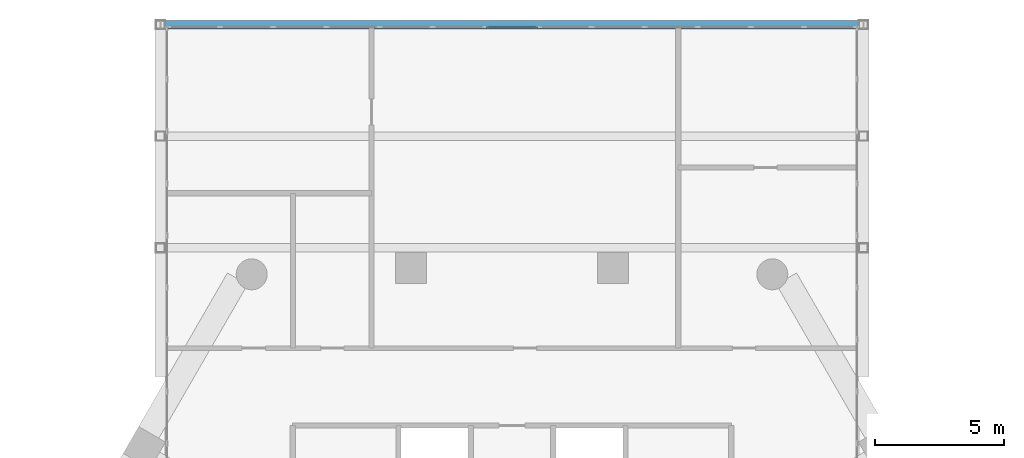
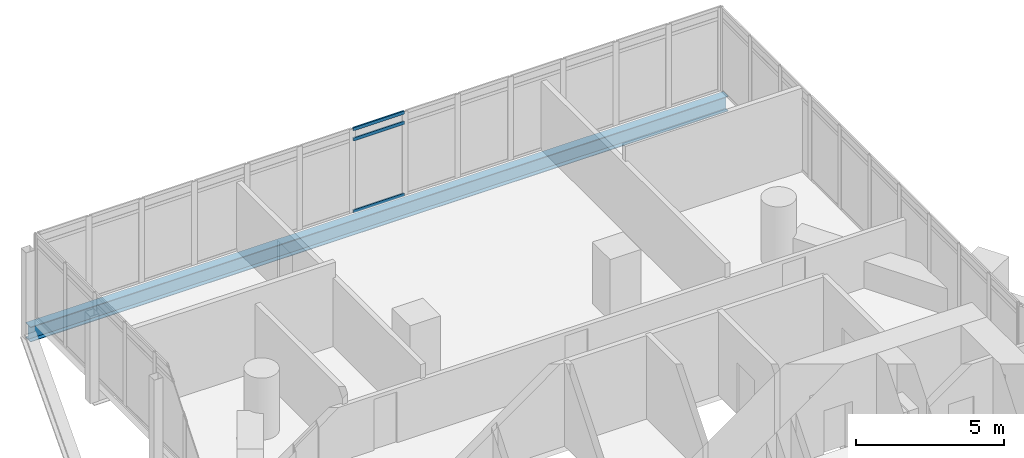
# One storey, part 21 of 37: 3 members, 1 beam, 1 element without a shape of its own.
"""IFC4 building model written with IfcOpenShell, lengths in metres."""

from ifc_helpers import new_model, si_unit, direction, frame, origin, origin_2d, place, context, subcontext, project, spatial, hollow_rectangle, i_section, extrude, material, material_profile, profile_set, type_object, element, aggregate, save


model = new_model("IFC4")

# Units and contexts
model_context = context("Model", 3, precision=1e-05, world=origin(), true_north=direction((0.0, 1.0)))
body_context = subcontext(model_context, "Body", "Model", "MODEL_VIEW")
ifc_project = project(units=[si_unit("LENGTHUNIT", "METRE"), si_unit("AREAUNIT", "SQUARE_METRE"), si_unit("VOLUMEUNIT", "CUBIC_METRE"), si_unit("PLANEANGLEUNIT", "RADIAN"), si_unit("MASSUNIT", "GRAM", prefix="KILO")], contexts=[model_context])

# Site, building, storey
site_placement = place(None, origin())
site = spatial("IfcSite", under=ifc_project, at=site_placement, CompositionType="ELEMENT")
building_placement = place(site_placement, origin())
building = spatial("IfcBuilding", under=site, at=building_placement, Name="Ostrander Bayou Hotel Tower", CompositionType="ELEMENT")
storey_placement = place(building_placement, frame((0.0, 0.0, 131.0)))
storey = spatial("IfcBuildingStorey", under=building, at=storey_placement, Name="L32", CompositionType="ELEMENT", Elevation=131.0)

# Curtain wall, members
ifc_material_1 = material(Name="Aluminium and clear glass", Category="aluminium")
curtain_wall_type = type_object("IfcCurtainWallType", Name="CW-BAR glazed wall", PredefinedType="NOTDEFINED", material=ifc_material_1)
curtain_wall_placement = place(storey_placement, origin())
curtain_wall = element("IfcCurtainWall", 1, at=curtain_wall_placement, inside=storey, type_object=curtain_wall_type, Name="CW-BAR L32:SB3N:T", PredefinedType="NOTDEFINED")
ifc_material_2 = material(Name="Aluminium", Category="aluminium")
ifc_material_profile_1 = material_profile(ifc_material_2, hollow_rectangle(XDim=0.06005859375, YDim=0.1298828125, WallThickness=0.00390625, at=origin_2d()))
ifc_profile_set_1 = profile_set([ifc_material_profile_1], Name="Aluminium")
member_type = type_object("IfcMemberType", Name="CW-BR transom 60 x 130 mm", PredefinedType="USERDEFINED", material=ifc_profile_set_1)
member_1_placement = place(storey_placement, frame((-0.998291015625, 29.037109375, 0.030029296875), z_axis=(1.0, 0.0, 0.0), x_axis=(0.0, 1.0, 0.0)))
member_1 = element("IfcMember", 2, at=member_1_placement, type_object=member_type, Name="CW-BAR transom 7.1", ObjectType="TRANSOM", PredefinedType="USERDEFINED", context=body_context, shape_type="SweptSolid", body=[
    extrude(hollow_rectangle(XDim=0.06005859375, YDim=0.1298828125, WallThickness=0.00390625, at=origin_2d()), origin(), (0.0, 0.0, 1.0), 1.99658203125),
])
member_2_placement = place(storey_placement, frame((-0.998291015625, 29.037109375, 3.0), z_axis=(1.0, 0.0, 0.0), x_axis=(0.0, 1.0, 0.0)))
member_2 = element("IfcMember", 3, at=member_2_placement, type_object=member_type, Name="CW-BAR transom 7.2", ObjectType="TRANSOM", PredefinedType="USERDEFINED", context=body_context, shape_type="SweptSolid", body=[
    extrude(hollow_rectangle(XDim=0.06005859375, YDim=0.1298828125, WallThickness=0.00390625, at=origin_2d()), origin(), (0.0, 0.0, 1.0), 1.99658203125),
])
member_3_placement = place(storey_placement, frame((-0.998291015625, 29.037109375, 3.419921875), z_axis=(1.0, 0.0, 0.0), x_axis=(0.0, 1.0, 0.0)))
member_3 = element("IfcMember", 4, at=member_3_placement, type_object=member_type, Name="CW-BAR transom 7.3", ObjectType="TRANSOM", PredefinedType="USERDEFINED", context=body_context, shape_type="SweptSolid", body=[
    extrude(hollow_rectangle(XDim=0.06005859375, YDim=0.1298828125, WallThickness=0.00390625, at=origin_2d()), origin(), (0.0, 0.0, 1.0), 1.99658203125),
])
aggregate(curtain_wall, [member_1, member_2, member_3])

# Beam
ifc_material_3 = material(Name="Steel ASTM A992", Category="steel")
ifc_material_profile_2 = material_profile(ifc_material_3, i_section(OverallWidth=0.32763671875, OverallDepth=0.621826171875, WebThickness=0.015380859375, FlangeThickness=0.0244140625, at=origin_2d()))
ifc_profile_set_2 = profile_set([ifc_material_profile_2], Name="Steel ASTM A992")
beam_type = type_object("IfcBeamType", Name="TF1 bar floor beam W24x131", PredefinedType="BEAM", material=ifc_profile_set_2)
beam_placement = place(storey_placement, frame((-13.6201171875, 29.13720703125, -0.61083984375), z_axis=(1.0, 0.0, 0.0), x_axis=(0.0, 1.0, 0.0)))
element("IfcBeam", 5, at=beam_placement, inside=storey, type_object=beam_type, Name="TF1 SB3W L1-1", PredefinedType="BEAM", context=body_context, shape_type="SweptSolid", body=[
    extrude(i_section(OverallWidth=0.32763671875, OverallDepth=0.621826171875, WebThickness=0.015380859375, FlangeThickness=0.0244140625, at=origin_2d()), origin(), (0.0, 0.0, 1.0), 27.240234375),
])

save(model, "model.ifc")
